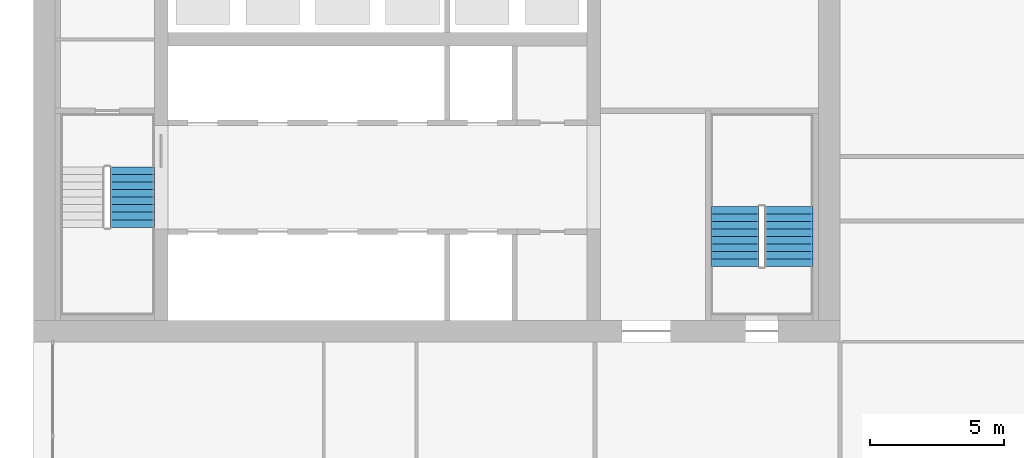
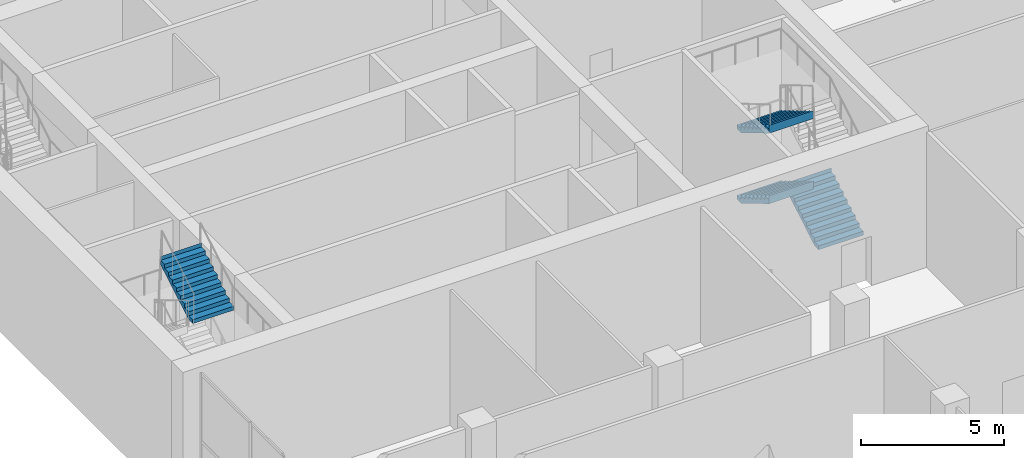
# One storey, part 17 of 23: 4 stair flights, 2 elements without a shape of their own.
"""IFC4 building model written with IfcOpenShell, lengths in metres."""

from ifc_helpers import new_model, si_unit, direction, frame, origin, place, context, subcontext, project, spatial, polyline, outline, extrude, material, type_object, element, aggregate, save


model = new_model("IFC4")

# Units and contexts
model_context = context("Model", 3, precision=1e-05, world=origin(), true_north=direction((0.0, 1.0)))
body_context = subcontext(model_context, "Body", "Model", "MODEL_VIEW")
ifc_project = project(units=[si_unit("LENGTHUNIT", "METRE"), si_unit("AREAUNIT", "SQUARE_METRE"), si_unit("VOLUMEUNIT", "CUBIC_METRE"), si_unit("PLANEANGLEUNIT", "RADIAN"), si_unit("MASSUNIT", "GRAM", prefix="KILO")], contexts=[model_context])

# Site, building, storey
site_placement = place(None, origin())
site = spatial("IfcSite", under=ifc_project, at=site_placement, CompositionType="ELEMENT")
building_placement = place(site_placement, origin())
building = spatial("IfcBuilding", under=site, at=building_placement, Name="Tamorin Gate", CompositionType="ELEMENT")
storey_placement = place(building_placement, frame((0.0, 0.0, 124.199951171875)))
storey = spatial("IfcBuildingStorey", under=building, at=storey_placement, Name="L30", CompositionType="ELEMENT", Elevation=124.199951171875)

# Stair, stair flight
ifc_material = material(Name="Concrete C40/50", Category="concrete")
stair_type = type_object("IfcStairType", Name="Exit stair", PredefinedType="HALF_TURN_STAIR", material=ifc_material)
stair_1_placement = place(storey_placement, origin())
stair_1 = element("IfcStair", 1, at=stair_1_placement, inside=storey, type_object=stair_type, Name="L30 stair ST1", PredefinedType="HALF_TURN_STAIR")
stair_flight_type = type_object("IfcStairFlightType", Name="Exit stair flight", PredefinedType="STRAIGHT", material=ifc_material)
stair_flight_1_placement = place(storey_placement, frame((33.675048828125, 64.260009765625, 4.5), z_axis=(0.0, 0.0, 1.0), x_axis=(0.0, 1.0, 0.0)))
stair_flight_1 = element("IfcStairFlight", 2, at=stair_flight_1_placement, type_object=stair_flight_type, Name="ST1 flight 4", NumberOfRisers=9, NumberOfTreads=8, PredefinedType="STRAIGHT", RiserHeight=0.166666667, TreadLength=0.28, context=body_context, shape_type="SweptSolid", body=[
    extrude(outline(polyline([(-0.00048828125, 0.0), (-0.00048828125, 0.001708984375), (-0.00048828125, 0.00341796875), (-0.00048828125, 0.0048828125), (-0.00048828125, 0.006591796875), (-0.00048828125, 0.00830078125), (-0.00048828125, 0.010009765625), (-0.00048828125, 0.011474609375), (-0.00048828125, 0.01318359375), (-0.00048828125, 0.014892578125), (-0.00048828125, 0.0166015625), (-0.00048828125, 0.01806640625), (-0.00048828125, 0.019775390625), (-0.00048828125, 0.021484375), (-0.00048828125, 0.023193359375), (-0.00048828125, 0.024658203125), (-0.00048828125, 0.0263671875), (-0.00048828125, 0.028076171875), (-0.00048828125, 0.02978515625), (-0.00048828125, 0.03125), (-0.00048828125, 0.032958984375), (-0.00048828125, 0.03466796875), (-0.00048828125, 0.036376953125), (-0.00048828125, 0.037841796875), (-0.00048828125, 0.03955078125), (-0.00048828125, 0.041259765625), (-0.00048828125, 0.04296875), (-0.00048828125, 0.04443359375), (-0.00048828125, 0.046142578125), (-0.00048828125, 0.0478515625), (-0.00048828125, 0.049560546875), (-0.00048828125, 0.05126953125), (-0.00048828125, 0.052734375), (-0.00048828125, 0.054443359375), (-0.00048828125, 0.05615234375), (-0.00048828125, 0.057861328125), (-0.00048828125, 0.059326171875), (-0.00048828125, 0.06103515625), (-0.00048828125, 0.062744140625), (-0.00048828125, 0.064453125), (-0.00048828125, 0.06591796875), (-0.00048828125, 0.067626953125), (-0.00048828125, 0.0693359375), (-0.00048828125, 0.071044921875), (-0.00048828125, 0.072509765625), (-0.00048828125, 0.07421875), (-0.00048828125, 0.075927734375), (-0.00048828125, 0.07763671875), (-0.00048828125, 0.0791015625), (-0.00048828125, 0.080810546875), (-0.00048828125, 0.08251953125), (-0.00048828125, 0.084228515625), (-0.00048828125, 0.085693359375), (-0.00048828125, 0.08740234375), (-0.00048828125, 0.089111328125), (-0.00048828125, 0.0908203125), (-0.00048828125, 0.092529296875), (-0.00048828125, 0.093994140625), (-0.00048828125, 0.095703125), (-0.00048828125, 0.097412109375), (-0.00048828125, 0.09912109375), (-0.00048828125, 0.1005859375), (-0.00048828125, 0.102294921875), (-0.00048828125, 0.10400390625), (-0.00048828125, 0.105712890625), (-0.00048828125, 0.107177734375), (-0.00048828125, 0.10888671875), (-0.00048828125, 0.110595703125), (-0.00048828125, 0.1123046875), (-0.00048828125, 0.11376953125), (-0.00048828125, 0.115478515625), (-0.00048828125, 0.1171875), (-0.00048828125, 0.118896484375), (-0.00048828125, 0.120361328125), (-0.00048828125, 0.1220703125), (-0.00048828125, 0.123779296875), (-0.00048828125, 0.12548828125), (-0.00048828125, 0.126953125), (-0.00048828125, 0.128662109375), (-0.00048828125, 0.13037109375), (-0.00048828125, 0.132080078125), (-0.00048828125, 0.133544921875), (-0.00048828125, 0.13525390625), (-0.00048828125, 0.136962890625), (-0.00048828125, 0.138671875), (-0.00048828125, 0.140380859375), (-0.00048828125, 0.141845703125), (-0.00048828125, 0.1435546875), (-0.00048828125, 0.145263671875), (-0.00048828125, 0.14697265625), (-0.00048828125, 0.1484375), (-0.00048828125, 0.150146484375), (-0.00048828125, 0.15185546875), (-0.00048828125, 0.153564453125), (-0.00048828125, 0.155029296875), (-0.00048828125, 0.15673828125), (-0.00048828125, 0.158447265625), (-0.00048828125, 0.16015625), (-0.00048828125, 0.16162109375), (-0.00048828125, 0.163330078125), (-0.00048828125, 0.1650390625), (-0.00048828125, 0.166748046875), (0.280029296875, 0.166748046875), (0.280029296875, 0.333251953125), (0.56005859375, 0.333251953125), (0.56005859375, 0.5), (0.840087890625, 0.5), (0.840087890625, 0.666748046875), (1.1201171875, 0.666748046875), (1.1201171875, 0.833251953125), (1.39990234375, 0.833251953125), (1.39990234375, 1.0), (1.679931640625, 1.0), (1.679931640625, 1.166748046875), (1.9599609375, 1.166748046875), (1.9599609375, 1.333251953125), (2.239990234375, 1.333251953125), (2.239990234375, 1.5), (2.240478515625, 1.5), (2.240478515625, 1.49658203125), (2.240478515625, 1.4931640625), (2.240478515625, 1.48974609375), (2.240478515625, 1.486572265625), (2.240478515625, 1.483154296875), (2.240478515625, 1.479736328125), (2.240478515625, 1.476318359375), (2.240478515625, 1.472900390625), (2.240478515625, 1.469482421875), (2.240478515625, 1.46630859375), (2.240478515625, 1.462890625), (2.240478515625, 1.45947265625), (2.240478515625, 1.4560546875), (2.240478515625, 1.45263671875), (2.240478515625, 1.44921875), (2.240478515625, 1.446044921875), (2.240478515625, 1.442626953125), (2.240478515625, 1.439208984375), (2.240478515625, 1.435791015625), (2.240478515625, 1.432373046875), (2.240478515625, 1.428955078125), (2.240478515625, 1.42578125), (2.240478515625, 1.42236328125), (2.240478515625, 1.4189453125), (2.240478515625, 1.41552734375), (2.240478515625, 1.412109375), (2.240478515625, 1.40869140625), (2.240478515625, 1.405517578125), (2.240478515625, 1.402099609375), (2.240478515625, 1.398681640625), (2.240478515625, 1.395263671875), (2.240478515625, 1.391845703125), (2.240478515625, 1.388427734375), (2.240478515625, 1.38525390625), (2.240478515625, 1.3818359375), (2.240478515625, 1.37841796875), (2.240478515625, 1.375), (2.240478515625, 1.37158203125), (2.240478515625, 1.3681640625), (2.240478515625, 1.364990234375), (2.240478515625, 1.361572265625), (2.240478515625, 1.358154296875), (2.240478515625, 1.354736328125), (2.240478515625, 1.351318359375), (2.240478515625, 1.347900390625), (2.240478515625, 1.3447265625), (2.240478515625, 1.34130859375), (2.240478515625, 1.337890625), (2.240478515625, 1.33447265625), (2.240478515625, 1.3310546875), (2.240478515625, 1.32763671875), (2.240478515625, 1.324462890625), (2.240478515625, 1.321044921875), (2.240478515625, 1.317626953125), (2.240478515625, 1.314208984375), (2.240478515625, 1.310791015625), (2.240478515625, 1.307373046875), (2.240478515625, 1.30419921875), (2.240478515625, 1.30078125), (2.240478515625, 1.29736328125), (2.240478515625, 1.2939453125), (2.240478515625, 1.29052734375), (2.240478515625, 1.287109375), (2.240478515625, 1.283935546875), (2.240478515625, 1.280517578125), (2.240478515625, 1.277099609375), (2.240478515625, 1.273681640625), (2.240478515625, 1.270263671875), (2.240478515625, 1.266845703125), (2.240478515625, 1.263671875), (2.240478515625, 1.26025390625), (2.240478515625, 1.2568359375), (2.240478515625, 1.25341796875), (2.240478515625, 1.25), (2.240478515625, 1.24658203125), (2.240478515625, 1.243408203125), (2.240478515625, 1.239990234375), (2.240478515625, 1.236572265625), (2.240478515625, 1.233154296875), (2.240478515625, 1.229736328125), (2.240478515625, 1.226318359375), (2.240478515625, 1.22314453125), (2.240478515625, 1.2197265625), (2.240478515625, 1.21630859375), (2.240478515625, 1.212890625), (2.240478515625, 1.20947265625), (2.240478515625, 1.2060546875), (2.240478515625, 1.202880859375), (2.240478515625, 1.199462890625), (2.240478515625, 1.196044921875), (2.240478515625, 1.192626953125), (2.240478515625, 1.189208984375), (2.240478515625, 1.185791015625), (2.240478515625, 1.1826171875), (2.240478515625, 1.17919921875), (2.240478515625, 1.17578125), (2.240478515625, 1.17236328125), (2.240478515625, 1.1689453125), (2.240478515625, 1.16552734375), (2.240478515625, 1.162353515625), (2.240478515625, 1.158935546875), (2.239990234375, 1.158935546875), (0.29296875, 0.0), (-0.00048828125, 0.0)])), frame((0.0, 0.824951171875, 0.0), z_axis=(0.0, -1.0, 0.0), x_axis=(1.0, 0.0, 0.0)), (0.0, 0.0, 1.0), 1.64990234375),
])
aggregate(stair_1, [stair_flight_1])

# Stair, stair flights
stair_2_placement = place(storey_placement, origin())
stair_2 = element("IfcStair", 3, at=stair_2_placement, inside=storey, type_object=stair_type, Name="L30 stair ST3", PredefinedType="HALF_TURN_STAIR")
stair_flight_2_placement = place(storey_placement, frame((58.10009765625, 62.800048828125, 0.0), z_axis=(0.0, 0.0, 1.0), x_axis=(0.0, 1.0, 0.0)))
stair_flight_2 = element("IfcStairFlight", 4, at=stair_flight_2_placement, type_object=stair_flight_type, Name="ST3 flight 1", NumberOfRisers=9, NumberOfTreads=8, PredefinedType="STRAIGHT", RiserHeight=0.166666667, TreadLength=0.28, context=body_context, shape_type="SweptSolid", body=[
    extrude(outline(polyline([(-0.00048828125, 0.0), (-0.00048828125, 0.001708984375), (-0.00048828125, 0.00341796875), (-0.00048828125, 0.0048828125), (-0.00048828125, 0.006591796875), (-0.00048828125, 0.00830078125), (-0.00048828125, 0.010009765625), (-0.00048828125, 0.011474609375), (-0.00048828125, 0.01318359375), (-0.00048828125, 0.014892578125), (-0.00048828125, 0.0166015625), (-0.00048828125, 0.01806640625), (-0.00048828125, 0.019775390625), (-0.00048828125, 0.021484375), (-0.00048828125, 0.023193359375), (-0.00048828125, 0.024658203125), (-0.00048828125, 0.0263671875), (-0.00048828125, 0.028076171875), (-0.00048828125, 0.02978515625), (-0.00048828125, 0.03125), (-0.00048828125, 0.032958984375), (-0.00048828125, 0.03466796875), (-0.00048828125, 0.036376953125), (-0.00048828125, 0.037841796875), (-0.00048828125, 0.03955078125), (-0.00048828125, 0.041259765625), (-0.00048828125, 0.04296875), (-0.00048828125, 0.04443359375), (-0.00048828125, 0.046142578125), (-0.00048828125, 0.0478515625), (-0.00048828125, 0.049560546875), (-0.00048828125, 0.05126953125), (-0.00048828125, 0.052734375), (-0.00048828125, 0.054443359375), (-0.00048828125, 0.05615234375), (-0.00048828125, 0.057861328125), (-0.00048828125, 0.059326171875), (-0.00048828125, 0.06103515625), (-0.00048828125, 0.062744140625), (-0.00048828125, 0.064453125), (-0.00048828125, 0.06591796875), (-0.00048828125, 0.067626953125), (-0.00048828125, 0.0693359375), (-0.00048828125, 0.071044921875), (-0.00048828125, 0.072509765625), (-0.00048828125, 0.07421875), (-0.00048828125, 0.075927734375), (-0.00048828125, 0.07763671875), (-0.00048828125, 0.0791015625), (-0.00048828125, 0.080810546875), (-0.00048828125, 0.08251953125), (-0.00048828125, 0.084228515625), (-0.00048828125, 0.085693359375), (-0.00048828125, 0.08740234375), (-0.00048828125, 0.089111328125), (-0.00048828125, 0.0908203125), (-0.00048828125, 0.092529296875), (-0.00048828125, 0.093994140625), (-0.00048828125, 0.095703125), (-0.00048828125, 0.097412109375), (-0.00048828125, 0.09912109375), (-0.00048828125, 0.1005859375), (-0.00048828125, 0.102294921875), (-0.00048828125, 0.10400390625), (-0.00048828125, 0.105712890625), (-0.00048828125, 0.107177734375), (-0.00048828125, 0.10888671875), (-0.00048828125, 0.110595703125), (-0.00048828125, 0.1123046875), (-0.00048828125, 0.11376953125), (-0.00048828125, 0.115478515625), (-0.00048828125, 0.1171875), (-0.00048828125, 0.118896484375), (-0.00048828125, 0.120361328125), (-0.00048828125, 0.1220703125), (-0.00048828125, 0.123779296875), (-0.00048828125, 0.12548828125), (-0.00048828125, 0.126953125), (-0.00048828125, 0.128662109375), (-0.00048828125, 0.13037109375), (-0.00048828125, 0.132080078125), (-0.00048828125, 0.133544921875), (-0.00048828125, 0.13525390625), (-0.00048828125, 0.136962890625), (-0.00048828125, 0.138671875), (-0.00048828125, 0.140380859375), (-0.00048828125, 0.141845703125), (-0.00048828125, 0.1435546875), (-0.00048828125, 0.145263671875), (-0.00048828125, 0.14697265625), (-0.00048828125, 0.1484375), (-0.00048828125, 0.150146484375), (-0.00048828125, 0.15185546875), (-0.00048828125, 0.153564453125), (-0.00048828125, 0.155029296875), (-0.00048828125, 0.15673828125), (-0.00048828125, 0.158447265625), (-0.00048828125, 0.16015625), (-0.00048828125, 0.16162109375), (-0.00048828125, 0.163330078125), (-0.00048828125, 0.1650390625), (-0.00048828125, 0.166748046875), (0.280029296875, 0.166748046875), (0.280029296875, 0.333251953125), (0.56005859375, 0.333251953125), (0.56005859375, 0.5), (0.840087890625, 0.5), (0.840087890625, 0.666748046875), (1.1201171875, 0.666748046875), (1.1201171875, 0.833251953125), (1.39990234375, 0.833251953125), (1.39990234375, 1.0), (1.679931640625, 1.0), (1.679931640625, 1.166748046875), (1.9599609375, 1.166748046875), (1.9599609375, 1.333251953125), (2.239990234375, 1.333251953125), (2.239990234375, 1.5), (2.240478515625, 1.5), (2.240478515625, 1.49658203125), (2.240478515625, 1.4931640625), (2.240478515625, 1.48974609375), (2.240478515625, 1.486572265625), (2.240478515625, 1.483154296875), (2.240478515625, 1.479736328125), (2.240478515625, 1.476318359375), (2.240478515625, 1.472900390625), (2.240478515625, 1.469482421875), (2.240478515625, 1.46630859375), (2.240478515625, 1.462890625), (2.240478515625, 1.45947265625), (2.240478515625, 1.4560546875), (2.240478515625, 1.45263671875), (2.240478515625, 1.44921875), (2.240478515625, 1.446044921875), (2.240478515625, 1.442626953125), (2.240478515625, 1.439208984375), (2.240478515625, 1.435791015625), (2.240478515625, 1.432373046875), (2.240478515625, 1.428955078125), (2.240478515625, 1.42578125), (2.240478515625, 1.42236328125), (2.240478515625, 1.4189453125), (2.240478515625, 1.41552734375), (2.240478515625, 1.412109375), (2.240478515625, 1.40869140625), (2.240478515625, 1.405517578125), (2.240478515625, 1.402099609375), (2.240478515625, 1.398681640625), (2.240478515625, 1.395263671875), (2.240478515625, 1.391845703125), (2.240478515625, 1.388427734375), (2.240478515625, 1.38525390625), (2.240478515625, 1.3818359375), (2.240478515625, 1.37841796875), (2.240478515625, 1.375), (2.240478515625, 1.37158203125), (2.240478515625, 1.3681640625), (2.240478515625, 1.364990234375), (2.240478515625, 1.361572265625), (2.240478515625, 1.358154296875), (2.240478515625, 1.354736328125), (2.240478515625, 1.351318359375), (2.240478515625, 1.347900390625), (2.240478515625, 1.3447265625), (2.240478515625, 1.34130859375), (2.240478515625, 1.337890625), (2.240478515625, 1.33447265625), (2.240478515625, 1.3310546875), (2.240478515625, 1.32763671875), (2.240478515625, 1.324462890625), (2.240478515625, 1.321044921875), (2.240478515625, 1.317626953125), (2.240478515625, 1.314208984375), (2.240478515625, 1.310791015625), (2.240478515625, 1.307373046875), (2.240478515625, 1.30419921875), (2.240478515625, 1.30078125), (2.240478515625, 1.29736328125), (2.240478515625, 1.2939453125), (2.240478515625, 1.29052734375), (2.240478515625, 1.287109375), (2.240478515625, 1.283935546875), (2.240478515625, 1.280517578125), (2.240478515625, 1.277099609375), (2.240478515625, 1.273681640625), (2.240478515625, 1.270263671875), (2.240478515625, 1.266845703125), (2.240478515625, 1.263671875), (2.240478515625, 1.26025390625), (2.240478515625, 1.2568359375), (2.240478515625, 1.25341796875), (2.240478515625, 1.25), (2.240478515625, 1.24658203125), (2.240478515625, 1.243408203125), (2.240478515625, 1.239990234375), (2.240478515625, 1.236572265625), (2.240478515625, 1.233154296875), (2.240478515625, 1.229736328125), (2.240478515625, 1.226318359375), (2.240478515625, 1.22314453125), (2.240478515625, 1.2197265625), (2.240478515625, 1.21630859375), (2.240478515625, 1.212890625), (2.240478515625, 1.20947265625), (2.240478515625, 1.2060546875), (2.240478515625, 1.202880859375), (2.240478515625, 1.199462890625), (2.240478515625, 1.196044921875), (2.240478515625, 1.192626953125), (2.240478515625, 1.189208984375), (2.240478515625, 1.185791015625), (2.240478515625, 1.1826171875), (2.240478515625, 1.17919921875), (2.240478515625, 1.17578125), (2.240478515625, 1.17236328125), (2.240478515625, 1.1689453125), (2.240478515625, 1.16552734375), (2.240478515625, 1.162353515625), (2.240478515625, 1.158935546875), (2.239990234375, 1.158935546875), (0.29296875, 0.0), (-0.00048828125, 0.0)])), frame((0.0, 0.89990234375, 0.0), z_axis=(0.0, -1.0, 0.0), x_axis=(1.0, 0.0, 0.0)), (0.0, 0.0, 1.0), 1.800048828125),
])
stair_flight_3_placement = place(storey_placement, frame((56.10009765625, 65.0400390625, 1.5), z_axis=(0.0, 0.0, 1.0), x_axis=(0.0, -1.0, 0.0)))
stair_flight_3 = element("IfcStairFlight", 5, at=stair_flight_3_placement, type_object=stair_flight_type, Name="ST3 flight 2", NumberOfRisers=9, NumberOfTreads=8, PredefinedType="STRAIGHT", RiserHeight=0.166666667, TreadLength=0.28, context=body_context, shape_type="SweptSolid", body=[
    extrude(outline(polyline([(-0.00048828125, 0.0), (-0.00048828125, 0.001708984375), (-0.00048828125, 0.00341796875), (-0.00048828125, 0.0048828125), (-0.00048828125, 0.006591796875), (-0.00048828125, 0.00830078125), (-0.00048828125, 0.010009765625), (-0.00048828125, 0.011474609375), (-0.00048828125, 0.01318359375), (-0.00048828125, 0.014892578125), (-0.00048828125, 0.0166015625), (-0.00048828125, 0.01806640625), (-0.00048828125, 0.019775390625), (-0.00048828125, 0.021484375), (-0.00048828125, 0.023193359375), (-0.00048828125, 0.024658203125), (-0.00048828125, 0.0263671875), (-0.00048828125, 0.028076171875), (-0.00048828125, 0.02978515625), (-0.00048828125, 0.03125), (-0.00048828125, 0.032958984375), (-0.00048828125, 0.03466796875), (-0.00048828125, 0.036376953125), (-0.00048828125, 0.037841796875), (-0.00048828125, 0.03955078125), (-0.00048828125, 0.041259765625), (-0.00048828125, 0.04296875), (-0.00048828125, 0.04443359375), (-0.00048828125, 0.046142578125), (-0.00048828125, 0.0478515625), (-0.00048828125, 0.049560546875), (-0.00048828125, 0.05126953125), (-0.00048828125, 0.052734375), (-0.00048828125, 0.054443359375), (-0.00048828125, 0.05615234375), (-0.00048828125, 0.057861328125), (-0.00048828125, 0.059326171875), (-0.00048828125, 0.06103515625), (-0.00048828125, 0.062744140625), (-0.00048828125, 0.064453125), (-0.00048828125, 0.06591796875), (-0.00048828125, 0.067626953125), (-0.00048828125, 0.0693359375), (-0.00048828125, 0.071044921875), (-0.00048828125, 0.072509765625), (-0.00048828125, 0.07421875), (-0.00048828125, 0.075927734375), (-0.00048828125, 0.07763671875), (-0.00048828125, 0.0791015625), (-0.00048828125, 0.080810546875), (-0.00048828125, 0.08251953125), (-0.00048828125, 0.084228515625), (-0.00048828125, 0.085693359375), (-0.00048828125, 0.08740234375), (-0.00048828125, 0.089111328125), (-0.00048828125, 0.0908203125), (-0.00048828125, 0.092529296875), (-0.00048828125, 0.093994140625), (-0.00048828125, 0.095703125), (-0.00048828125, 0.097412109375), (-0.00048828125, 0.09912109375), (-0.00048828125, 0.1005859375), (-0.00048828125, 0.102294921875), (-0.00048828125, 0.10400390625), (-0.00048828125, 0.105712890625), (-0.00048828125, 0.107177734375), (-0.00048828125, 0.10888671875), (-0.00048828125, 0.110595703125), (-0.00048828125, 0.1123046875), (-0.00048828125, 0.11376953125), (-0.00048828125, 0.115478515625), (-0.00048828125, 0.1171875), (-0.00048828125, 0.118896484375), (-0.00048828125, 0.120361328125), (-0.00048828125, 0.1220703125), (-0.00048828125, 0.123779296875), (-0.00048828125, 0.12548828125), (-0.00048828125, 0.126953125), (-0.00048828125, 0.128662109375), (-0.00048828125, 0.13037109375), (-0.00048828125, 0.132080078125), (-0.00048828125, 0.133544921875), (-0.00048828125, 0.13525390625), (-0.00048828125, 0.136962890625), (-0.00048828125, 0.138671875), (-0.00048828125, 0.140380859375), (-0.00048828125, 0.141845703125), (-0.00048828125, 0.1435546875), (-0.00048828125, 0.145263671875), (-0.00048828125, 0.14697265625), (-0.00048828125, 0.1484375), (-0.00048828125, 0.150146484375), (-0.00048828125, 0.15185546875), (-0.00048828125, 0.153564453125), (-0.00048828125, 0.155029296875), (-0.00048828125, 0.15673828125), (-0.00048828125, 0.158447265625), (-0.00048828125, 0.16015625), (-0.00048828125, 0.16162109375), (-0.00048828125, 0.163330078125), (-0.00048828125, 0.1650390625), (-0.00048828125, 0.166748046875), (0.280029296875, 0.166748046875), (0.280029296875, 0.333251953125), (0.56005859375, 0.333251953125), (0.56005859375, 0.5), (0.840087890625, 0.5), (0.840087890625, 0.666748046875), (1.1201171875, 0.666748046875), (1.1201171875, 0.833251953125), (1.39990234375, 0.833251953125), (1.39990234375, 1.0), (1.679931640625, 1.0), (1.679931640625, 1.166748046875), (1.9599609375, 1.166748046875), (1.9599609375, 1.333251953125), (2.239990234375, 1.333251953125), (2.239990234375, 1.5), (2.240478515625, 1.5), (2.240478515625, 1.49658203125), (2.240478515625, 1.4931640625), (2.240478515625, 1.48974609375), (2.240478515625, 1.486572265625), (2.240478515625, 1.483154296875), (2.240478515625, 1.479736328125), (2.240478515625, 1.476318359375), (2.240478515625, 1.472900390625), (2.240478515625, 1.469482421875), (2.240478515625, 1.46630859375), (2.240478515625, 1.462890625), (2.240478515625, 1.45947265625), (2.240478515625, 1.4560546875), (2.240478515625, 1.45263671875), (2.240478515625, 1.44921875), (2.240478515625, 1.446044921875), (2.240478515625, 1.442626953125), (2.240478515625, 1.439208984375), (2.240478515625, 1.435791015625), (2.240478515625, 1.432373046875), (2.240478515625, 1.428955078125), (2.240478515625, 1.42578125), (2.240478515625, 1.42236328125), (2.240478515625, 1.4189453125), (2.240478515625, 1.41552734375), (2.240478515625, 1.412109375), (2.240478515625, 1.40869140625), (2.240478515625, 1.405517578125), (2.240478515625, 1.402099609375), (2.240478515625, 1.398681640625), (2.240478515625, 1.395263671875), (2.240478515625, 1.391845703125), (2.240478515625, 1.388427734375), (2.240478515625, 1.38525390625), (2.240478515625, 1.3818359375), (2.240478515625, 1.37841796875), (2.240478515625, 1.375), (2.240478515625, 1.37158203125), (2.240478515625, 1.3681640625), (2.240478515625, 1.364990234375), (2.240478515625, 1.361572265625), (2.240478515625, 1.358154296875), (2.240478515625, 1.354736328125), (2.240478515625, 1.351318359375), (2.240478515625, 1.347900390625), (2.240478515625, 1.3447265625), (2.240478515625, 1.34130859375), (2.240478515625, 1.337890625), (2.240478515625, 1.33447265625), (2.240478515625, 1.3310546875), (2.240478515625, 1.32763671875), (2.240478515625, 1.324462890625), (2.240478515625, 1.321044921875), (2.240478515625, 1.317626953125), (2.240478515625, 1.314208984375), (2.240478515625, 1.310791015625), (2.240478515625, 1.307373046875), (2.240478515625, 1.30419921875), (2.240478515625, 1.30078125), (2.240478515625, 1.29736328125), (2.240478515625, 1.2939453125), (2.240478515625, 1.29052734375), (2.240478515625, 1.287109375), (2.240478515625, 1.283935546875), (2.240478515625, 1.280517578125), (2.240478515625, 1.277099609375), (2.240478515625, 1.273681640625), (2.240478515625, 1.270263671875), (2.240478515625, 1.266845703125), (2.240478515625, 1.263671875), (2.240478515625, 1.26025390625), (2.240478515625, 1.2568359375), (2.240478515625, 1.25341796875), (2.240478515625, 1.25), (2.240478515625, 1.24658203125), (2.240478515625, 1.243408203125), (2.240478515625, 1.239990234375), (2.240478515625, 1.236572265625), (2.240478515625, 1.233154296875), (2.240478515625, 1.229736328125), (2.240478515625, 1.226318359375), (2.240478515625, 1.22314453125), (2.240478515625, 1.2197265625), (2.240478515625, 1.21630859375), (2.240478515625, 1.212890625), (2.240478515625, 1.20947265625), (2.240478515625, 1.2060546875), (2.240478515625, 1.202880859375), (2.240478515625, 1.199462890625), (2.240478515625, 1.196044921875), (2.240478515625, 1.192626953125), (2.240478515625, 1.189208984375), (2.240478515625, 1.185791015625), (2.240478515625, 1.1826171875), (2.240478515625, 1.17919921875), (2.240478515625, 1.17578125), (2.240478515625, 1.17236328125), (2.240478515625, 1.1689453125), (2.240478515625, 1.16552734375), (2.240478515625, 1.162353515625), (2.240478515625, 1.158935546875), (2.239990234375, 1.158935546875), (0.29296875, 0.0), (-0.00048828125, 0.0)])), frame((0.0, 0.89990234375, 0.0), z_axis=(0.0, -1.0, 0.0), x_axis=(1.0, 0.0, 0.0)), (0.0, 0.0, 1.0), 1.800048828125),
])
stair_flight_4_placement = place(storey_placement, frame((56.10009765625, 65.0400390625, 4.5), z_axis=(0.0, 0.0, 1.0), x_axis=(0.0, -1.0, 0.0)))
stair_flight_4 = element("IfcStairFlight", 6, at=stair_flight_4_placement, type_object=stair_flight_type, Name="ST3 flight 4", NumberOfRisers=9, NumberOfTreads=8, PredefinedType="STRAIGHT", RiserHeight=0.166666667, TreadLength=0.28, context=body_context, shape_type="SweptSolid", body=[
    extrude(outline(polyline([(-0.00048828125, 0.0), (-0.00048828125, 0.001708984375), (-0.00048828125, 0.00341796875), (-0.00048828125, 0.0048828125), (-0.00048828125, 0.006591796875), (-0.00048828125, 0.00830078125), (-0.00048828125, 0.010009765625), (-0.00048828125, 0.011474609375), (-0.00048828125, 0.01318359375), (-0.00048828125, 0.014892578125), (-0.00048828125, 0.0166015625), (-0.00048828125, 0.01806640625), (-0.00048828125, 0.019775390625), (-0.00048828125, 0.021484375), (-0.00048828125, 0.023193359375), (-0.00048828125, 0.024658203125), (-0.00048828125, 0.0263671875), (-0.00048828125, 0.028076171875), (-0.00048828125, 0.02978515625), (-0.00048828125, 0.03125), (-0.00048828125, 0.032958984375), (-0.00048828125, 0.03466796875), (-0.00048828125, 0.036376953125), (-0.00048828125, 0.037841796875), (-0.00048828125, 0.03955078125), (-0.00048828125, 0.041259765625), (-0.00048828125, 0.04296875), (-0.00048828125, 0.04443359375), (-0.00048828125, 0.046142578125), (-0.00048828125, 0.0478515625), (-0.00048828125, 0.049560546875), (-0.00048828125, 0.05126953125), (-0.00048828125, 0.052734375), (-0.00048828125, 0.054443359375), (-0.00048828125, 0.05615234375), (-0.00048828125, 0.057861328125), (-0.00048828125, 0.059326171875), (-0.00048828125, 0.06103515625), (-0.00048828125, 0.062744140625), (-0.00048828125, 0.064453125), (-0.00048828125, 0.06591796875), (-0.00048828125, 0.067626953125), (-0.00048828125, 0.0693359375), (-0.00048828125, 0.071044921875), (-0.00048828125, 0.072509765625), (-0.00048828125, 0.07421875), (-0.00048828125, 0.075927734375), (-0.00048828125, 0.07763671875), (-0.00048828125, 0.0791015625), (-0.00048828125, 0.080810546875), (-0.00048828125, 0.08251953125), (-0.00048828125, 0.084228515625), (-0.00048828125, 0.085693359375), (-0.00048828125, 0.08740234375), (-0.00048828125, 0.089111328125), (-0.00048828125, 0.0908203125), (-0.00048828125, 0.092529296875), (-0.00048828125, 0.093994140625), (-0.00048828125, 0.095703125), (-0.00048828125, 0.097412109375), (-0.00048828125, 0.09912109375), (-0.00048828125, 0.1005859375), (-0.00048828125, 0.102294921875), (-0.00048828125, 0.10400390625), (-0.00048828125, 0.105712890625), (-0.00048828125, 0.107177734375), (-0.00048828125, 0.10888671875), (-0.00048828125, 0.110595703125), (-0.00048828125, 0.1123046875), (-0.00048828125, 0.11376953125), (-0.00048828125, 0.115478515625), (-0.00048828125, 0.1171875), (-0.00048828125, 0.118896484375), (-0.00048828125, 0.120361328125), (-0.00048828125, 0.1220703125), (-0.00048828125, 0.123779296875), (-0.00048828125, 0.12548828125), (-0.00048828125, 0.126953125), (-0.00048828125, 0.128662109375), (-0.00048828125, 0.13037109375), (-0.00048828125, 0.132080078125), (-0.00048828125, 0.133544921875), (-0.00048828125, 0.13525390625), (-0.00048828125, 0.136962890625), (-0.00048828125, 0.138671875), (-0.00048828125, 0.140380859375), (-0.00048828125, 0.141845703125), (-0.00048828125, 0.1435546875), (-0.00048828125, 0.145263671875), (-0.00048828125, 0.14697265625), (-0.00048828125, 0.1484375), (-0.00048828125, 0.150146484375), (-0.00048828125, 0.15185546875), (-0.00048828125, 0.153564453125), (-0.00048828125, 0.155029296875), (-0.00048828125, 0.15673828125), (-0.00048828125, 0.158447265625), (-0.00048828125, 0.16015625), (-0.00048828125, 0.16162109375), (-0.00048828125, 0.163330078125), (-0.00048828125, 0.1650390625), (-0.00048828125, 0.166748046875), (0.280029296875, 0.166748046875), (0.280029296875, 0.333251953125), (0.56005859375, 0.333251953125), (0.56005859375, 0.5), (0.840087890625, 0.5), (0.840087890625, 0.666748046875), (1.1201171875, 0.666748046875), (1.1201171875, 0.833251953125), (1.39990234375, 0.833251953125), (1.39990234375, 1.0), (1.679931640625, 1.0), (1.679931640625, 1.166748046875), (1.9599609375, 1.166748046875), (1.9599609375, 1.333251953125), (2.239990234375, 1.333251953125), (2.239990234375, 1.5), (2.240478515625, 1.5), (2.240478515625, 1.49658203125), (2.240478515625, 1.4931640625), (2.240478515625, 1.48974609375), (2.240478515625, 1.486572265625), (2.240478515625, 1.483154296875), (2.240478515625, 1.479736328125), (2.240478515625, 1.476318359375), (2.240478515625, 1.472900390625), (2.240478515625, 1.469482421875), (2.240478515625, 1.46630859375), (2.240478515625, 1.462890625), (2.240478515625, 1.45947265625), (2.240478515625, 1.4560546875), (2.240478515625, 1.45263671875), (2.240478515625, 1.44921875), (2.240478515625, 1.446044921875), (2.240478515625, 1.442626953125), (2.240478515625, 1.439208984375), (2.240478515625, 1.435791015625), (2.240478515625, 1.432373046875), (2.240478515625, 1.428955078125), (2.240478515625, 1.42578125), (2.240478515625, 1.42236328125), (2.240478515625, 1.4189453125), (2.240478515625, 1.41552734375), (2.240478515625, 1.412109375), (2.240478515625, 1.40869140625), (2.240478515625, 1.405517578125), (2.240478515625, 1.402099609375), (2.240478515625, 1.398681640625), (2.240478515625, 1.395263671875), (2.240478515625, 1.391845703125), (2.240478515625, 1.388427734375), (2.240478515625, 1.38525390625), (2.240478515625, 1.3818359375), (2.240478515625, 1.37841796875), (2.240478515625, 1.375), (2.240478515625, 1.37158203125), (2.240478515625, 1.3681640625), (2.240478515625, 1.364990234375), (2.240478515625, 1.361572265625), (2.240478515625, 1.358154296875), (2.240478515625, 1.354736328125), (2.240478515625, 1.351318359375), (2.240478515625, 1.347900390625), (2.240478515625, 1.3447265625), (2.240478515625, 1.34130859375), (2.240478515625, 1.337890625), (2.240478515625, 1.33447265625), (2.240478515625, 1.3310546875), (2.240478515625, 1.32763671875), (2.240478515625, 1.324462890625), (2.240478515625, 1.321044921875), (2.240478515625, 1.317626953125), (2.240478515625, 1.314208984375), (2.240478515625, 1.310791015625), (2.240478515625, 1.307373046875), (2.240478515625, 1.30419921875), (2.240478515625, 1.30078125), (2.240478515625, 1.29736328125), (2.240478515625, 1.2939453125), (2.240478515625, 1.29052734375), (2.240478515625, 1.287109375), (2.240478515625, 1.283935546875), (2.240478515625, 1.280517578125), (2.240478515625, 1.277099609375), (2.240478515625, 1.273681640625), (2.240478515625, 1.270263671875), (2.240478515625, 1.266845703125), (2.240478515625, 1.263671875), (2.240478515625, 1.26025390625), (2.240478515625, 1.2568359375), (2.240478515625, 1.25341796875), (2.240478515625, 1.25), (2.240478515625, 1.24658203125), (2.240478515625, 1.243408203125), (2.240478515625, 1.239990234375), (2.240478515625, 1.236572265625), (2.240478515625, 1.233154296875), (2.240478515625, 1.229736328125), (2.240478515625, 1.226318359375), (2.240478515625, 1.22314453125), (2.240478515625, 1.2197265625), (2.240478515625, 1.21630859375), (2.240478515625, 1.212890625), (2.240478515625, 1.20947265625), (2.240478515625, 1.2060546875), (2.240478515625, 1.202880859375), (2.240478515625, 1.199462890625), (2.240478515625, 1.196044921875), (2.240478515625, 1.192626953125), (2.240478515625, 1.189208984375), (2.240478515625, 1.185791015625), (2.240478515625, 1.1826171875), (2.240478515625, 1.17919921875), (2.240478515625, 1.17578125), (2.240478515625, 1.17236328125), (2.240478515625, 1.1689453125), (2.240478515625, 1.16552734375), (2.240478515625, 1.162353515625), (2.240478515625, 1.158935546875), (2.239990234375, 1.158935546875), (0.29296875, 0.0), (-0.00048828125, 0.0)])), frame((0.0, 0.89990234375, 0.0), z_axis=(0.0, -1.0, 0.0), x_axis=(1.0, 0.0, 0.0)), (0.0, 0.0, 1.0), 1.800048828125),
])
aggregate(stair_2, [stair_flight_2, stair_flight_3, stair_flight_4])

save(model, "model.ifc")
